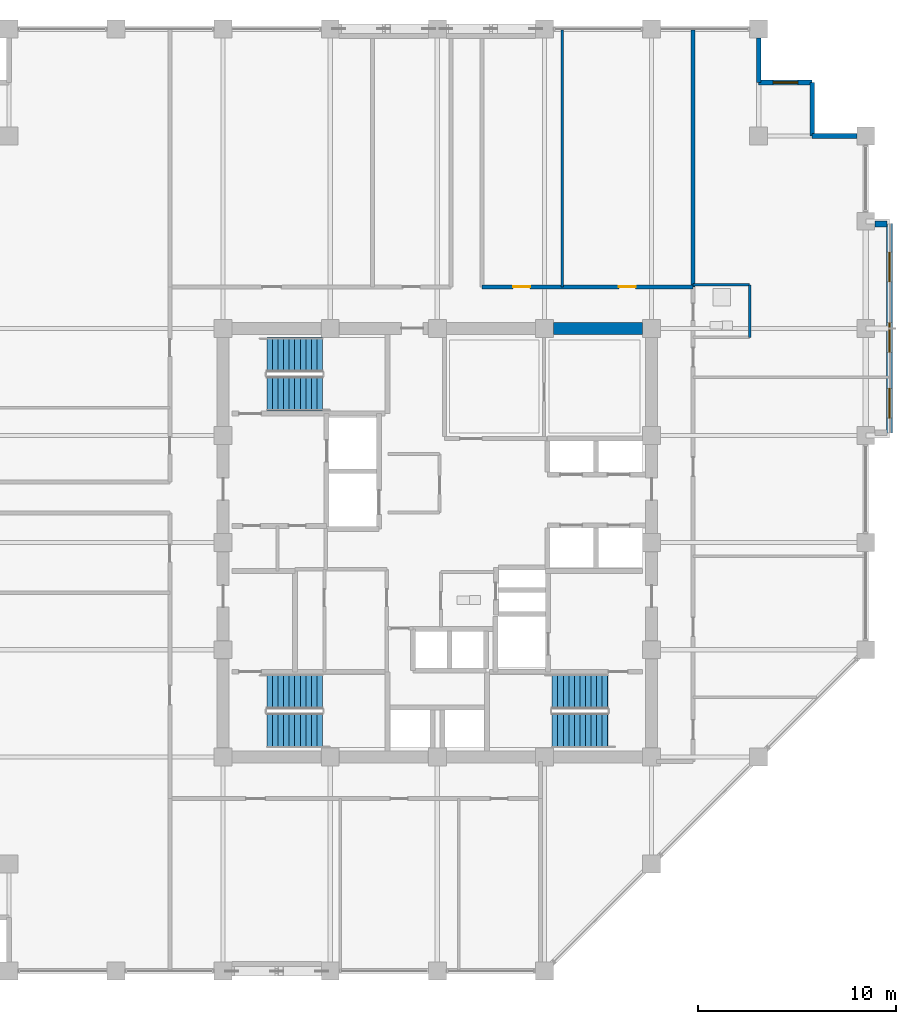
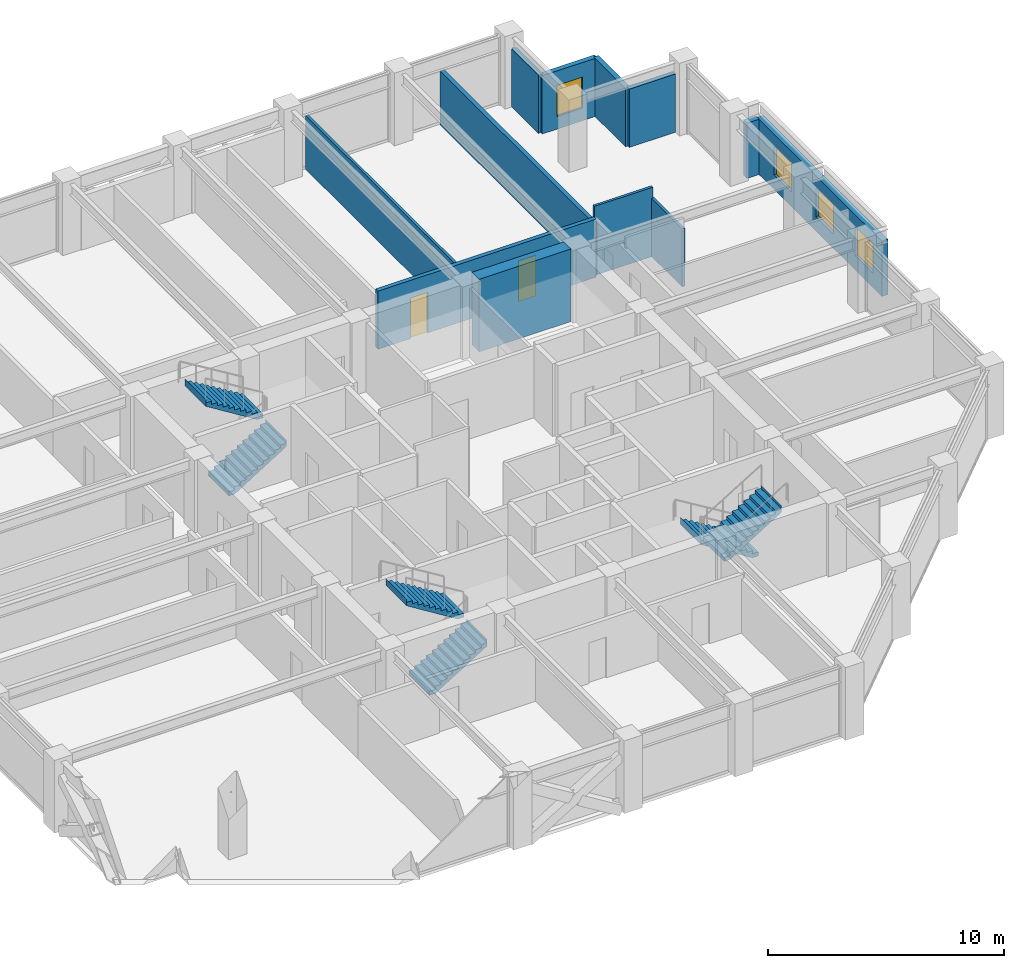
# One storey, part 29 of 32: 12 walls, 6 stair flights, 4 windows, 2 doors, 6 openings, 3 elements without a shape of their own.
"""IFC4 building model written with IfcOpenShell, lengths in metres."""

import ifcopenshell
import ifcopenshell.guid

model = None  # the IFC model being written
_history = None  # IfcOwnerHistory: only IFC2X3 demands one
_inside = {}  # id of a spatial element -> (the spatial element, [elements in it])
_under = {}  # id of a project, library or spatial element -> (it, [spatial elements below it])
_declared = {}  # id of a project -> (the project, [libraries it declares])
_typed = {}  # id of a type object -> (the type object, [elements of that type])
_made_of = {}  # id of a material, layer set ... -> (it, [elements and type objects made of it])


def new_model(schema):
    """Start an empty IFC model of exactly this schema.

    Asked for "IFC4X3", IfcOpenShell would pick the latest addendum, in which some entities
    have other attributes; the version numbers below select the first issue.
    IFC2X3 requires an IfcOwnerHistory on every rooted entity: one is made here for all.
    """
    global model, _history
    if schema == "IFC4X3":
        model = ifcopenshell.file(schema_version=(4, 3, 0, 0))
    else:
        model = ifcopenshell.file(schema=schema)
    _inside.clear()
    _under.clear()
    _declared.clear()
    _typed.clear()
    _made_of.clear()
    _history = None
    if model.schema == "IFC2X3":
        org = make("IfcOrganization", Name="unknown")
        user = make(
            "IfcPersonAndOrganization",
            ThePerson=make("IfcPerson", FamilyName="unknown"),
            TheOrganization=org,
        )
        app = make(
            "IfcApplication",
            ApplicationDeveloper=org,
            Version="unknown",
            ApplicationFullName="unknown",
            ApplicationIdentifier="unknown",
        )
        _history = make(
            "IfcOwnerHistory",
            OwningUser=user,
            OwningApplication=app,
            ChangeAction="ADDED",
            CreationDate=0,
        )
    return model


def make(cls, **values):
    """One entity of the class cls with the attributes given. An attribute that is None is left unset."""
    return model.create_entity(
        cls, **{name: value for name, value in values.items() if value is not None}
    )


def rooted(cls, **values):
    """An entity with a GlobalId (a new one), such as an element, a storey or a relation."""
    return make(cls, GlobalId=ifcopenshell.guid.new(), OwnerHistory=_history, **values)


def si_unit(unit_type, name, prefix=None):
    """IfcSIUnit, for example si_unit("LENGTHUNIT", "METRE", prefix="MILLI")."""
    return make("IfcSIUnit", UnitType=unit_type, Prefix=prefix, Name=name)


def assignment(units):
    """IfcUnitAssignment: the units of a project."""
    return None if units is None else make("IfcUnitAssignment", Units=units)


def point(xyz):
    """IfcCartesianPoint."""
    return None if xyz is None else make("IfcCartesianPoint", Coordinates=xyz)


def direction(xyz):
    """IfcDirection."""
    return None if xyz is None else make("IfcDirection", DirectionRatios=xyz)


def frame(location, z_axis=None, x_axis=None):
    """IfcAxis2Placement3D, a coordinate frame: its origin and axes. An axis left out is left unset."""
    return make(
        "IfcAxis2Placement3D",
        Location=point(location),
        Axis=direction(z_axis),
        RefDirection=direction(x_axis),
    )


def frame_2d(location, x_axis=None):
    """IfcAxis2Placement2D, a coordinate frame in the plane: its origin and x axis."""
    return make(
        "IfcAxis2Placement2D", Location=point(location), RefDirection=direction(x_axis)
    )


def origin():
    """The frame at (0, 0, 0) with its axes left unset."""
    return frame((0.0, 0.0, 0.0))


def place(relative_to, where):
    """IfcLocalPlacement: puts the frame where relative to a parent placement (None: the world)."""
    return make(
        "IfcLocalPlacement", PlacementRelTo=relative_to, RelativePlacement=where
    )


def context(
    kind, dimensions, precision=None, world=None, true_north=None, identifier=None
):
    """IfcGeometricRepresentationContext, for example the 3D "Model" context."""
    return make(
        "IfcGeometricRepresentationContext",
        ContextIdentifier=identifier,
        ContextType=kind,
        CoordinateSpaceDimension=dimensions,
        Precision=precision,
        WorldCoordinateSystem=world,
        TrueNorth=true_north,
    )


def subcontext(parent, identifier, kind, view, scale=None):
    """IfcGeometricRepresentationSubContext, for example "Body" below "Model"."""
    return make(
        "IfcGeometricRepresentationSubContext",
        ContextIdentifier=identifier,
        ContextType=kind,
        ParentContext=parent,
        TargetScale=scale,
        TargetView=view,
    )


def project(units=None, contexts=None):
    """IfcProject with its units and contexts."""
    return rooted(
        "IfcProject",
        Name="project",
        RepresentationContexts=contexts,
        UnitsInContext=assignment(units),
    )


def spatial(cls, under=None, at=None, **own):
    """A site, building, storey or space (cls), placed at a placement, below another one or the project."""
    s = rooted(cls, ObjectPlacement=at, **own)
    if under is not None:
        _under.setdefault(under.id(), (under, []))[1].append(s)
    return s


def polyline(points):
    """IfcPolyline through the points."""
    return make("IfcPolyline", Points=[point(p) for p in points])


def profile(cls, at=None, kind="AREA", **sizes):
    """A parametric profile (cls). Its sizes go by their IFC names, for example OverallWidth=200.0."""
    return make(cls, ProfileType=kind, Position=at, **sizes)


def rectangle(**sizes):
    """IfcRectangleProfileDef."""
    return profile("IfcRectangleProfileDef", **sizes)


def outline(outer, holes=None, kind="AREA"):
    """IfcArbitraryClosedProfileDef: a profile drawn as a closed curve; with holes, ...WithVoids."""
    if holes is None:
        return make("IfcArbitraryClosedProfileDef", ProfileType=kind, OuterCurve=outer)
    return make(
        "IfcArbitraryProfileDefWithVoids",
        ProfileType=kind,
        OuterCurve=outer,
        InnerCurves=holes,
    )


def extrude(swept, where, along, depth):
    """IfcExtrudedAreaSolid: the profile swept, set in the frame where, extruded along a direction by depth."""
    return make(
        "IfcExtrudedAreaSolid",
        SweptArea=swept,
        Position=where,
        ExtrudedDirection=direction(along),
        Depth=depth,
    )


def shape(context_of_items, identifier, shape_type, items):
    """IfcShapeRepresentation: the items that make up one representation, for example the "Body"."""
    return make(
        "IfcShapeRepresentation",
        ContextOfItems=context_of_items,
        RepresentationIdentifier=identifier,
        RepresentationType=shape_type,
        Items=items,
    )


def material(Name=None, Category=None):
    """IfcMaterial."""
    return make("IfcMaterial", Name=Name, Category=Category)


def layer(
    of_material, thickness, ventilated=None, Name=None, Category=None, Priority=None
):
    """IfcMaterialLayer: one layer of a wall or slab, of a material (None: an air gap)."""
    return make(
        "IfcMaterialLayer",
        Material=of_material,
        LayerThickness=thickness,
        IsVentilated=ventilated,
        Name=Name,
        Category=Category,
        Priority=Priority,
    )


def layer_set(layers, Name=None):
    """IfcMaterialLayerSet."""
    return make("IfcMaterialLayerSet", MaterialLayers=layers, LayerSetName=Name)


def made_of(thing, what):
    """Note that an element or type object is made of a material, layer set ...; save() writes the relation."""
    if what is not None:
        _made_of.setdefault(what.id(), (what, []))[1].append(thing)
    return thing


def type_object(cls, material=None, **own):
    """A type object (cls), such as IfcWallType, which elements share."""
    return made_of(rooted(cls, **own), material)


def element(
    cls,
    number,
    at=None,
    inside=None,
    cuts=None,
    type_object=None,
    material=None,
    context=None,
    identifier="Body",
    shape_type=None,
    held_by="IfcProductDefinitionShape",
    body=None,
    shapes=None,
    **own,
):
    """One element of the class cls, such as IfcWall. Its Tag is "e" and its number.

    at: its placement. inside: the storey or other place that contains it. cuts: it is an
    opening in that element (IfcRelVoidsElement). A single representation is given by context,
    identifier, shape_type and body (its items); several are given by shapes. held_by: the class
    of the entity that holds the representations. save() writes the other relations.
    """
    e = rooted(cls, Tag="e%d" % number, ObjectPlacement=at, **own)
    if body is not None:
        shapes = [shape(context, identifier, shape_type, body)]
    if shapes is not None:
        e.Representation = make(held_by, Representations=shapes)
    if inside is not None:
        _inside.setdefault(inside.id(), (inside, []))[1].append(e)
    if cuts is not None:
        rooted(
            "IfcRelVoidsElement", RelatingBuildingElement=cuts, RelatedOpeningElement=e
        )
    if type_object is not None:
        _typed.setdefault(type_object.id(), (type_object, []))[1].append(e)
    return made_of(e, material)


def fill(opening, filler):
    """IfcRelFillsElement: the door or window that sits in an opening."""
    return rooted(
        "IfcRelFillsElement",
        RelatingOpeningElement=opening,
        RelatedBuildingElement=filler,
    )


def aggregate(whole, parts):
    """IfcRelAggregates: a whole, such as a stair, and the parts it consists of."""
    return rooted("IfcRelAggregates", RelatingObject=whole, RelatedObjects=parts)


def save(model, path):
    """Write the relations noted so far, then the file.

    IfcRelAggregates (storeys below a building ...), IfcRelContainedInSpatialStructure (elements
    in a storey), IfcRelDefinesByType, IfcRelAssociatesMaterial and IfcRelDeclares: one each for
    every whole, place, type object, material and project.
    """
    for whole, parts in _under.values():
        aggregate(whole, parts)
    for where, things in _inside.values():
        rooted(
            "IfcRelContainedInSpatialStructure",
            RelatedElements=things,
            RelatingStructure=where,
        )
    for kind, things in _typed.values():
        rooted("IfcRelDefinesByType", RelatedObjects=things, RelatingType=kind)
    for what, things in _made_of.values():
        rooted("IfcRelAssociatesMaterial", RelatedObjects=things, RelatingMaterial=what)
    for by, libraries in _declared.values():
        rooted("IfcRelDeclares", RelatingContext=by, RelatedDefinitions=libraries)
    model.write(path)


model = new_model("IFC4")

# Units and contexts
model_context = context("Model", 3, precision=1e-05, world=origin(), true_north=direction((0.0, 1.0)))
body_context = subcontext(model_context, "Body", "Model", "MODEL_VIEW")
ifc_project = project(units=[si_unit("LENGTHUNIT", "METRE"), si_unit("AREAUNIT", "SQUARE_METRE"), si_unit("VOLUMEUNIT", "CUBIC_METRE"), si_unit("PLANEANGLEUNIT", "RADIAN"), si_unit("MASSUNIT", "GRAM", prefix="KILO")], contexts=[model_context])

# Site, building, storey
site_placement = place(None, origin())
site = spatial("IfcSite", under=ifc_project, at=site_placement, CompositionType="ELEMENT")
building_placement = place(site_placement, origin())
building = spatial("IfcBuilding", under=site, at=building_placement, Name="Surkhivell Harbour Commons", CompositionType="ELEMENT")
storey_placement = place(building_placement, frame((0.0, 0.0, 189.75)))
storey = spatial("IfcBuildingStorey", under=building, at=storey_placement, Name="L49", CompositionType="ELEMENT", Elevation=189.75)

# Wall
ifc_material_1 = material(Name="Concrete C60/75", Category="concrete")
ifc_layer_1 = layer(ifc_material_1, 0.60009765625)
ifc_layer_set_1 = layer_set([ifc_layer_1], Name="Concrete C60/75")
wall_type_1 = type_object("IfcWallType", Name="WAL-CORE-600", PredefinedType="SHEAR", material=ifc_layer_set_1)
wall_1_placement = place(storey_placement, frame((5.860107421875, 10.800048828125, 0.0), z_axis=(0.0, 0.0, 1.0), x_axis=(1.0, 0.0, 0.0)))
element("IfcWall", 1, at=wall_1_placement, inside=storey, type_object=wall_type_1, Name="L49 Core Shear Wall North 4", PredefinedType="SHEAR", context=body_context, shape_type="SweptSolid", body=[
    extrude(rectangle(XDim=4.47998046875, YDim=0.60009765625, at=frame_2d((2.239990234375, 0.0))), origin(), (0.0, 0.0, 1.0), 3.75),
])

# Wall, openings, windows
ifc_material_2 = material(Name="Flemish-bond kiln brick and precast concrete C45/55", Category="masonry")
ifc_layer_2 = layer(ifc_material_2, 0.300048828125)
ifc_layer_set_2 = layer_set([ifc_layer_2], Name="Flemish-bond kiln brick and precast concrete C45/55")
wall_type_2 = type_object("IfcWallType", Name="WAL-EXT-BRK300", PredefinedType="STANDARD", material=ifc_layer_set_2)
wall_2_placement = place(storey_placement, frame((22.800048828125, 5.52001953125, 0.0), z_axis=(0.0, 0.0, 1.0), x_axis=(0.0, 1.0, 0.0)))
wall_2 = element("IfcWall", 2, at=wall_2_placement, inside=storey, type_object=wall_type_2, Name="L49 Coloured Box Front Wall 01", PredefinedType="STANDARD", context=body_context, shape_type="SweptSolid", body=[
    extrude(rectangle(XDim=10.56005859375, YDim=0.300048828125, at=frame_2d((5.280029296875, 0.0))), origin(), (0.0, 0.0, 1.0), 2.85693359375),
])
opening_1_placement = place(wall_2_placement, frame((0.7548828125, 0.0, 0.75)))
opening_1 = element("IfcOpeningElement", 3, at=opening_1_placement, cuts=wall_2, Name="Opening WN-13", PredefinedType="OPENING", context=body_context, shape_type="SweptSolid", body=[
    extrude(rectangle(XDim=1.5, YDim=1.5, at=frame_2d((0.75, 0.75))), frame((0.0, 0.159912109375, 0.0), z_axis=(0.0, -1.0, 0.0), x_axis=(1.0, 0.0, 0.0)), (0.0, 0.0, 1.0), 0.320068359375),
])
opening_2_placement = place(wall_2_placement, frame((4.077392578125, 0.0, 0.75)))
opening_2 = element("IfcOpeningElement", 4, at=opening_2_placement, cuts=wall_2, Name="Opening WN-13", PredefinedType="OPENING", context=body_context, shape_type="SweptSolid", body=[
    extrude(rectangle(XDim=1.5, YDim=1.5, at=frame_2d((0.75, 0.75))), frame((0.0, 0.159912109375, 0.0), z_axis=(0.0, -1.0, 0.0), x_axis=(1.0, 0.0, 0.0)), (0.0, 0.0, 1.0), 0.320068359375),
])
opening_3_placement = place(wall_2_placement, frame((7.632568359375, 0.0, 0.75)))
opening_3 = element("IfcOpeningElement", 5, at=opening_3_placement, cuts=wall_2, Name="Opening WN-13", PredefinedType="OPENING", context=body_context, shape_type="SweptSolid", body=[
    extrude(rectangle(XDim=1.5, YDim=1.5, at=frame_2d((0.75, 0.75))), frame((0.0, 0.159912109375, 0.0), z_axis=(0.0, -1.0, 0.0), x_axis=(1.0, 0.0, 0.0)), (0.0, 0.0, 1.0), 0.320068359375),
])
ifc_material_3 = material(Name="Thermal-break aluminium frame and double low-E glazing", Category="aluminium")
window_type_1 = type_object("IfcWindowType", Name="WIN-BOX-1500x1500", PartitioningType="SINGLE_PANEL", PredefinedType="WINDOW", material=ifc_material_3)
window_1_placement = place(opening_1_placement, origin())
window_1 = element("IfcWindow", 6, at=window_1_placement, inside=storey, type_object=window_type_1, Name="L49 Coloured Box Square Window 01-1", OverallHeight=1.5, OverallWidth=1.5, PartitioningType="SINGLE_PANEL", PredefinedType="WINDOW", context=body_context, shape_type="SweptSolid", body=[
    extrude(rectangle(XDim=1.5, YDim=1.5, at=frame_2d((0.75, 0.75))), frame((0.0, 0.030029296875, 0.0), z_axis=(0.0, -1.0, 0.0), x_axis=(1.0, 0.0, 0.0)), (0.0, 0.0, 1.0), 0.06005859375),
])
fill(opening_1, window_1)
window_2_placement = place(opening_2_placement, origin())
window_2 = element("IfcWindow", 7, at=window_2_placement, inside=storey, type_object=window_type_1, Name="L49 Coloured Box Square Window 01-2", OverallHeight=1.5, OverallWidth=1.5, PartitioningType="SINGLE_PANEL", PredefinedType="WINDOW", context=body_context, shape_type="SweptSolid", body=[
    extrude(rectangle(XDim=1.5, YDim=1.5, at=frame_2d((0.75, 0.75))), frame((0.0, 0.030029296875, 0.0), z_axis=(0.0, -1.0, 0.0), x_axis=(1.0, 0.0, 0.0)), (0.0, 0.0, 1.0), 0.06005859375),
])
fill(opening_2, window_2)
window_3_placement = place(opening_3_placement, origin())
window_3 = element("IfcWindow", 8, at=window_3_placement, inside=storey, type_object=window_type_1, Name="L49 Coloured Box Square Window 01-3", OverallHeight=1.5, OverallWidth=1.5, PartitioningType="SINGLE_PANEL", PredefinedType="WINDOW", context=body_context, shape_type="SweptSolid", body=[
    extrude(rectangle(XDim=1.5, YDim=1.5, at=frame_2d((0.75, 0.75))), frame((0.0, 0.030029296875, 0.0), z_axis=(0.0, -1.0, 0.0), x_axis=(1.0, 0.0, 0.0)), (0.0, 0.0, 1.0), 0.06005859375),
])
fill(opening_3, window_3)

# Walls
wall_3_placement = place(storey_placement, frame((22.053955078125, 16.06005859375, 0.0), z_axis=(0.0, 0.0, 1.0), x_axis=(1.0, 0.0, 0.0)))
element("IfcWall", 9, at=wall_3_placement, inside=storey, type_object=wall_type_2, Name="L49 Coloured Box Return Wall 01N", PredefinedType="STANDARD", context=body_context, shape_type="SweptSolid", body=[
    extrude(rectangle(XDim=0.60595703125, YDim=0.300048828125, at=frame_2d((0.302978515625, 0.0))), origin(), (0.0, 0.0, 1.0), 2.85693359375),
])
ifc_material_4 = material(Name="Bronze-ochre cassette precast concrete C45/55", Category="concrete")
ifc_layer_3 = layer(ifc_material_4, 0.239990234375)
ifc_layer_set_3 = layer_set([ifc_layer_3], Name="Bronze-ochre cassette precast concrete C45/55")
wall_type_3 = type_object("IfcWallType", Name="WAL-EXT-OCH240", PredefinedType="STANDARD", material=ifc_layer_set_3)
wall_4_placement = place(storey_placement, frame((21.152099609375, 20.5, 0.0), z_axis=(0.0, 0.0, 1.0), x_axis=(-1.0, 0.0, 0.0)))
element("IfcWall", 10, at=wall_4_placement, inside=storey, type_object=wall_type_3, Name="L49 Serrated Corner Facade Wall 03", PredefinedType="STANDARD", context=body_context, shape_type="SweptSolid", body=[
    extrude(rectangle(XDim=2.252197265625, YDim=0.239990234375, at=frame_2d((1.1259765625, 0.0))), origin(), (0.0, 0.0, 1.0), 3.006103515625),
])
wall_5_placement = place(storey_placement, frame((18.89990234375, 20.5, 0.0), z_axis=(0.0, 0.0, 1.0), x_axis=(0.0, 1.0, 0.0)))
element("IfcWall", 11, at=wall_5_placement, inside=storey, type_object=wall_type_3, Name="L49 Serrated Corner Facade Wall 04", PredefinedType="STANDARD", context=body_context, shape_type="SweptSolid", body=[
    extrude(rectangle(XDim=2.699951171875, YDim=0.239990234375, at=frame_2d((1.35009765625, 0.0))), origin(), (0.0, 0.0, 1.0), 3.006103515625),
])

# Wall, opening, window
wall_6_placement = place(storey_placement, frame((18.89990234375, 23.199951171875, 0.0), z_axis=(0.0, 0.0, 1.0), x_axis=(-1.0, 0.0, 0.0)))
wall_6 = element("IfcWall", 12, at=wall_6_placement, inside=storey, type_object=wall_type_3, Name="L49 Serrated Corner Facade Wall 05", PredefinedType="STANDARD", context=body_context, shape_type="SweptSolid", body=[
    extrude(rectangle(XDim=2.699951171875, YDim=0.239990234375, at=frame_2d((1.35009765625, 0.0))), origin(), (0.0, 0.0, 1.0), 3.006103515625),
])
opening_4_placement = place(wall_6_placement, frame((0.72509765625, 0.0, 0.64990234375)))
opening_4 = element("IfcOpeningElement", 13, at=opening_4_placement, cuts=wall_6, Name="Opening WN-09", PredefinedType="OPENING", context=body_context, shape_type="SweptSolid", body=[
    extrude(rectangle(XDim=1.25, YDim=1.60009765625, at=frame_2d((0.625, 0.800048828125))), frame((0.0, 0.1298828125, 0.0), z_axis=(0.0, -1.0, 0.0), x_axis=(1.0, 0.0, 0.0)), (0.0, 0.0, 1.0), 0.260009765625),
])
window_type_2 = type_object("IfcWindowType", Name="WIN-SER-1250x1600", PartitioningType="SINGLE_PANEL", PredefinedType="WINDOW", material=ifc_material_3)
window_4_placement = place(opening_4_placement, origin())
window_4 = element("IfcWindow", 14, at=window_4_placement, inside=storey, type_object=window_type_2, Name="L49 Serrated Alcove Window 05", OverallHeight=1.60009765625, OverallWidth=1.25, PartitioningType="SINGLE_PANEL", PredefinedType="WINDOW", context=body_context, shape_type="SweptSolid", body=[
    extrude(rectangle(XDim=1.25, YDim=1.60009765625, at=frame_2d((0.625, 0.800048828125))), frame((0.0, 0.030029296875, 0.0), z_axis=(0.0, -1.0, 0.0), x_axis=(1.0, 0.0, 0.0)), (0.0, 0.0, 1.0), 0.06005859375),
])
fill(opening_4, window_4)

# Walls
wall_7_placement = place(storey_placement, frame((16.199951171875, 23.199951171875, 0.0), z_axis=(0.0, 0.0, 1.0), x_axis=(0.0, 1.0, 0.0)))
element("IfcWall", 15, at=wall_7_placement, inside=storey, type_object=wall_type_3, Name="L49 Serrated Corner Facade Wall 06", PredefinedType="STANDARD", context=body_context, shape_type="SweptSolid", body=[
    extrude(rectangle(XDim=2.251953125, YDim=0.239990234375, at=frame_2d((1.1259765625, 0.0))), origin(), (0.0, 0.0, 1.0), 3.006103515625),
])
ifc_material_5 = material(Name="Moisture-resistant acoustic stud partition", Category="other")
ifc_layer_4 = layer(ifc_material_5, 0.125)
ifc_layer_set_4 = layer_set([ifc_layer_4], Name="Moisture-resistant acoustic stud partition")
wall_type_4 = type_object("IfcWallType", Name="WAL-INT-125", PredefinedType="PARTITIONING", material=ifc_layer_set_4)
wall_8_placement = place(storey_placement, frame((15.75, 10.35009765625, 0.0), z_axis=(0.0, 0.0, 1.0), x_axis=(0.0, 1.0, 0.0)))
element("IfcWall", 16, at=wall_8_placement, inside=storey, type_object=wall_type_4, Name="L49 East Partition BTHB", PredefinedType="PARTITIONING", context=body_context, shape_type="SweptSolid", body=[
    extrude(rectangle(XDim=2.64990234375, YDim=0.125, at=frame_2d((1.324951171875, 0.0))), origin(), (0.0, 0.0, 1.0), 3.006103515625),
])
wall_9_placement = place(storey_placement, frame((12.89990234375, 13.0, 0.0), z_axis=(0.0, 0.0, 1.0), x_axis=(1.0, 0.0, 0.0)))
element("IfcWall", 17, at=wall_9_placement, inside=storey, type_object=wall_type_4, Name="L49 East Partition BTHN", PredefinedType="PARTITIONING", context=body_context, shape_type="SweptSolid", body=[
    extrude(rectangle(XDim=2.85009765625, YDim=0.125, at=frame_2d((1.425048828125, 0.0))), origin(), (0.0, 0.0, 1.0), 3.570068359375),
])
wall_10_placement = place(storey_placement, frame((6.300048828125, 12.89990234375, 0.0), z_axis=(0.0, 0.0, 1.0), x_axis=(0.0, 1.0, 0.0)))
element("IfcWall", 18, at=wall_10_placement, inside=storey, type_object=wall_type_4, Name="L49 North-East Partition P1", PredefinedType="PARTITIONING", context=body_context, shape_type="SweptSolid", body=[
    extrude(rectangle(XDim=12.940185546875, YDim=0.125, at=frame_2d((6.47021484375, 0.0))), origin(), (0.0, 0.0, 1.0), 2.780029296875),
])
ifc_material_6 = material(Name="Autoclaved aerated concrete blockwork and fire plaster", Category="masonry")
ifc_layer_5 = layer(ifc_material_6, 0.199951171875)
ifc_layer_set_5 = layer_set([ifc_layer_5], Name="Autoclaved aerated concrete blockwork and fire plaster")
wall_type_5 = type_object("IfcWallType", Name="WAL-INT-200", PredefinedType="PARTITIONING", material=ifc_layer_set_5)
wall_11_placement = place(storey_placement, frame((12.89990234375, 12.89990234375, 0.0), z_axis=(0.0, 0.0, 1.0), x_axis=(0.0, 1.0, 0.0)))
element("IfcWall", 19, at=wall_11_placement, inside=storey, type_object=wall_type_5, Name="L49 North-East Corner Wall", PredefinedType="PARTITIONING", context=body_context, shape_type="SweptSolid", body=[
    extrude(rectangle(XDim=12.940185546875, YDim=0.199951171875, at=frame_2d((6.47021484375, 0.0))), origin(), (0.0, 0.0, 1.0), 2.780029296875),
])

# Wall, openings, doors
wall_12_placement = place(storey_placement, frame((2.25, 12.89990234375, 0.0), z_axis=(0.0, 0.0, 1.0), x_axis=(1.0, 0.0, 0.0)))
wall_12 = element("IfcWall", 20, at=wall_12_placement, inside=storey, type_object=wall_type_5, Name="L49 Corridor North-East Wall", PredefinedType="PARTITIONING", context=body_context, shape_type="SweptSolid", body=[
    extrude(rectangle(XDim=10.64990234375, YDim=0.199951171875, at=frame_2d((5.324951171875, 0.0))), origin(), (0.0, 0.0, 1.0), 3.006103515625),
])
opening_5_placement = place(wall_12_placement, frame((1.574951171875, 0.0, 0.0)))
opening_5 = element("IfcOpeningElement", 21, at=opening_5_placement, cuts=wall_12, Name="Opening ID-6", PredefinedType="OPENING", context=body_context, shape_type="SweptSolid", body=[
    extrude(rectangle(XDim=0.85009765625, YDim=2.10009765625, at=frame_2d((0.425048828125, 1.050048828125))), frame((0.0, 0.10986328125, 0.0), z_axis=(0.0, -1.0, 0.0), x_axis=(1.0, 0.0, 0.0)), (0.0, 0.0, 1.0), 0.219970703125),
])
opening_6_placement = place(wall_12_placement, frame((6.89990234375, 0.0, 0.0)))
opening_6 = element("IfcOpeningElement", 22, at=opening_6_placement, cuts=wall_12, Name="Opening ID-6", PredefinedType="OPENING", context=body_context, shape_type="SweptSolid", body=[
    extrude(rectangle(XDim=0.85009765625, YDim=2.10009765625, at=frame_2d((0.425048828125, 1.050048828125))), frame((0.0, 0.10986328125, 0.0), z_axis=(0.0, -1.0, 0.0), x_axis=(1.0, 0.0, 0.0)), (0.0, 0.0, 1.0), 0.219970703125),
])
ifc_material_7 = material(Name="Hardwood-veneered fire-rated door leaf", Category="wood")
door_type = type_object("IfcDoorType", Name="DOR-FD30-850", OperationType="NOTDEFINED", PredefinedType="DOOR", material=ifc_material_7)
door_1_placement = place(opening_5_placement, origin())
door_1 = element("IfcDoor", 23, at=door_1_placement, inside=storey, type_object=door_type, Name="L49 Harbour Reading Library North-East Door", OperationType="SINGLE_SWING_LEFT", OverallHeight=2.10009765625, OverallWidth=0.85009765625, PredefinedType="DOOR", context=body_context, shape_type="SweptSolid", body=[
    extrude(rectangle(XDim=0.85009765625, YDim=2.10009765625, at=frame_2d((0.425048828125, 1.050048828125))), frame((0.0, 0.02490234375, 0.0), z_axis=(0.0, -1.0, 0.0), x_axis=(1.0, 0.0, 0.0)), (0.0, 0.0, 1.0), 0.050048828125),
])
fill(opening_5, door_1)
door_2_placement = place(opening_6_placement, origin())
door_2 = element("IfcDoor", 24, at=door_2_placement, inside=storey, type_object=door_type, Name="L49 Communal Dining Hall North-East Door", OperationType="SINGLE_SWING_RIGHT", OverallHeight=2.10009765625, OverallWidth=0.85009765625, PredefinedType="DOOR", context=body_context, shape_type="SweptSolid", body=[
    extrude(rectangle(XDim=0.85009765625, YDim=2.10009765625, at=frame_2d((0.425048828125, 1.050048828125))), frame((0.0, 0.02490234375, 0.0), z_axis=(0.0, -1.0, 0.0), x_axis=(1.0, 0.0, 0.0)), (0.0, 0.0, 1.0), 0.050048828125),
])
fill(opening_6, door_2)

# Stair, stair flights
ifc_material_8 = material(Name="Precast concrete C45/55", Category="concrete")
stair_type = type_object("IfcStairType", Name="STR-DL-375", PredefinedType="HALF_TURN_STAIR", material=ifc_material_8)
stair_1_placement = place(storey_placement, origin())
stair_1 = element("IfcStair", 25, at=stair_1_placement, inside=storey, type_object=stair_type, Name="L49 Core Exit Stair ST1", PredefinedType="HALF_TURN_STAIR")
stair_flight_type = type_object("IfcStairFlightType", Name="STF-DL-375", PredefinedType="STRAIGHT", material=ifc_material_8)
stair_flight_1_placement = place(storey_placement, frame((-8.590087890625, 7.514892578125, 0.0), z_axis=(0.0, 0.0, 1.0), x_axis=(1.0, 0.0, 0.0)))
stair_flight_1 = element("IfcStairFlight", 26, at=stair_flight_1_placement, type_object=stair_flight_type, Name="ST1 flight 1", NumberOfRisers=11, NumberOfTreads=10, PredefinedType="STRAIGHT", RiserHeight=0.170454545, TreadLength=0.28, context=body_context, shape_type="SweptSolid", body=[
    extrude(outline(polyline([(-0.0029296875, -0.034912109375), (-0.0029296875, 0.0), (0.0, 0.0), (0.0, 0.17041015625), (0.280029296875, 0.17041015625), (0.280029296875, 0.3408203125), (0.56005859375, 0.3408203125), (0.56005859375, 0.511474609375), (0.840087890625, 0.511474609375), (0.840087890625, 0.681884765625), (1.1201171875, 0.681884765625), (1.1201171875, 0.852294921875), (1.39990234375, 0.852294921875), (1.39990234375, 1.022705078125), (1.679931640625, 1.022705078125), (1.679931640625, 1.193115234375), (1.9599609375, 1.193115234375), (1.9599609375, 1.363525390625), (2.239990234375, 1.363525390625), (2.239990234375, 1.5341796875), (2.52001953125, 1.5341796875), (2.52001953125, 1.70458984375), (2.800048828125, 1.70458984375), (2.800048828125, 1.875), (2.802978515625, 1.875), (2.802978515625, 1.529052734375), (0.288330078125, -0.034912109375), (-0.0029296875, -0.034912109375)])), frame((0.0, 0.875, 0.0), z_axis=(0.0, -1.0, 0.0), x_axis=(1.0, 0.0, 0.0)), (0.0, 0.0, 1.0), 1.75),
])
stair_flight_2_placement = place(storey_placement, frame((-5.7900390625, 9.465087890625, 1.875), z_axis=(0.0, 0.0, 1.0), x_axis=(-1.0, 0.0, 0.0)))
stair_flight_2 = element("IfcStairFlight", 27, at=stair_flight_2_placement, type_object=stair_flight_type, Name="ST1 flight 2", NumberOfRisers=11, NumberOfTreads=10, PredefinedType="STRAIGHT", RiserHeight=0.170454545, TreadLength=0.28, context=body_context, shape_type="SweptSolid", body=[
    extrude(outline(polyline([(-0.0029296875, -0.034912109375), (-0.0029296875, 0.0), (0.0, 0.0), (0.0, 0.17041015625), (0.280029296875, 0.17041015625), (0.280029296875, 0.3408203125), (0.56005859375, 0.3408203125), (0.56005859375, 0.511474609375), (0.840087890625, 0.511474609375), (0.840087890625, 0.681884765625), (1.1201171875, 0.681884765625), (1.1201171875, 0.852294921875), (1.39990234375, 0.852294921875), (1.39990234375, 1.022705078125), (1.679931640625, 1.022705078125), (1.679931640625, 1.193115234375), (1.9599609375, 1.193115234375), (1.9599609375, 1.363525390625), (2.239990234375, 1.363525390625), (2.239990234375, 1.5341796875), (2.52001953125, 1.5341796875), (2.52001953125, 1.70458984375), (2.800048828125, 1.70458984375), (2.800048828125, 1.875), (2.802978515625, 1.875), (2.802978515625, 1.529052734375), (0.288330078125, -0.034912109375), (-0.0029296875, -0.034912109375)])), frame((0.0, 0.875, 0.0), z_axis=(0.0, -1.0, 0.0), x_axis=(1.0, 0.0, 0.0)), (0.0, 0.0, 1.0), 1.75),
])
aggregate(stair_1, [stair_flight_1, stair_flight_2])

stair_2_placement = place(storey_placement, origin())
stair_2 = element("IfcStair", 28, at=stair_2_placement, inside=storey, type_object=stair_type, Name="L49 Core Exit Stair ST2", PredefinedType="HALF_TURN_STAIR")
stair_flight_3_placement = place(storey_placement, frame((8.590087890625, -7.514892578125, 0.0), z_axis=(0.0, 0.0, 1.0), x_axis=(-1.0, 0.0, 0.0)))
stair_flight_3 = element("IfcStairFlight", 29, at=stair_flight_3_placement, type_object=stair_flight_type, Name="ST2 flight 1", NumberOfRisers=11, NumberOfTreads=10, PredefinedType="STRAIGHT", RiserHeight=0.170454545, TreadLength=0.28, context=body_context, shape_type="SweptSolid", body=[
    extrude(outline(polyline([(-0.0029296875, -0.034912109375), (-0.0029296875, 0.0), (0.0, 0.0), (0.0, 0.17041015625), (0.280029296875, 0.17041015625), (0.280029296875, 0.3408203125), (0.56005859375, 0.3408203125), (0.56005859375, 0.511474609375), (0.840087890625, 0.511474609375), (0.840087890625, 0.681884765625), (1.1201171875, 0.681884765625), (1.1201171875, 0.852294921875), (1.39990234375, 0.852294921875), (1.39990234375, 1.022705078125), (1.679931640625, 1.022705078125), (1.679931640625, 1.193115234375), (1.9599609375, 1.193115234375), (1.9599609375, 1.363525390625), (2.239990234375, 1.363525390625), (2.239990234375, 1.5341796875), (2.52001953125, 1.5341796875), (2.52001953125, 1.70458984375), (2.800048828125, 1.70458984375), (2.800048828125, 1.875), (2.802978515625, 1.875), (2.802978515625, 1.529052734375), (0.288330078125, -0.034912109375), (-0.0029296875, -0.034912109375)])), frame((0.0, 0.875, 0.0), z_axis=(0.0, -1.0, 0.0), x_axis=(1.0, 0.0, 0.0)), (0.0, 0.0, 1.0), 1.75),
])
stair_flight_4_placement = place(storey_placement, frame((5.7900390625, -9.465087890625, 1.875), z_axis=(0.0, 0.0, 1.0), x_axis=(1.0, 0.0, 0.0)))
stair_flight_4 = element("IfcStairFlight", 30, at=stair_flight_4_placement, type_object=stair_flight_type, Name="ST2 flight 2", NumberOfRisers=11, NumberOfTreads=10, PredefinedType="STRAIGHT", RiserHeight=0.170454545, TreadLength=0.28, context=body_context, shape_type="SweptSolid", body=[
    extrude(outline(polyline([(-0.0029296875, -0.034912109375), (-0.0029296875, 0.0), (0.0, 0.0), (0.0, 0.17041015625), (0.280029296875, 0.17041015625), (0.280029296875, 0.3408203125), (0.56005859375, 0.3408203125), (0.56005859375, 0.511474609375), (0.840087890625, 0.511474609375), (0.840087890625, 0.681884765625), (1.1201171875, 0.681884765625), (1.1201171875, 0.852294921875), (1.39990234375, 0.852294921875), (1.39990234375, 1.022705078125), (1.679931640625, 1.022705078125), (1.679931640625, 1.193115234375), (1.9599609375, 1.193115234375), (1.9599609375, 1.363525390625), (2.239990234375, 1.363525390625), (2.239990234375, 1.5341796875), (2.52001953125, 1.5341796875), (2.52001953125, 1.70458984375), (2.800048828125, 1.70458984375), (2.800048828125, 1.875), (2.802978515625, 1.875), (2.802978515625, 1.529052734375), (0.288330078125, -0.034912109375), (-0.0029296875, -0.034912109375)])), frame((0.0, 0.875, 0.0), z_axis=(0.0, -1.0, 0.0), x_axis=(1.0, 0.0, 0.0)), (0.0, 0.0, 1.0), 1.75),
])
aggregate(stair_2, [stair_flight_3, stair_flight_4])

stair_3_placement = place(storey_placement, origin())
stair_3 = element("IfcStair", 31, at=stair_3_placement, inside=storey, type_object=stair_type, Name="L49 Core Exit Stair ST3", PredefinedType="HALF_TURN_STAIR")
stair_flight_5_placement = place(storey_placement, frame((-8.590087890625, -9.465087890625, 0.0), z_axis=(0.0, 0.0, 1.0), x_axis=(1.0, 0.0, 0.0)))
stair_flight_5 = element("IfcStairFlight", 32, at=stair_flight_5_placement, type_object=stair_flight_type, Name="ST3 flight 1", NumberOfRisers=11, NumberOfTreads=10, PredefinedType="STRAIGHT", RiserHeight=0.170454545, TreadLength=0.28, context=body_context, shape_type="SweptSolid", body=[
    extrude(outline(polyline([(-0.0029296875, -0.034912109375), (-0.0029296875, 0.0), (0.0, 0.0), (0.0, 0.17041015625), (0.280029296875, 0.17041015625), (0.280029296875, 0.3408203125), (0.56005859375, 0.3408203125), (0.56005859375, 0.511474609375), (0.840087890625, 0.511474609375), (0.840087890625, 0.681884765625), (1.1201171875, 0.681884765625), (1.1201171875, 0.852294921875), (1.39990234375, 0.852294921875), (1.39990234375, 1.022705078125), (1.679931640625, 1.022705078125), (1.679931640625, 1.193115234375), (1.9599609375, 1.193115234375), (1.9599609375, 1.363525390625), (2.239990234375, 1.363525390625), (2.239990234375, 1.5341796875), (2.52001953125, 1.5341796875), (2.52001953125, 1.70458984375), (2.800048828125, 1.70458984375), (2.800048828125, 1.875), (2.802978515625, 1.875), (2.802978515625, 1.529052734375), (0.288330078125, -0.034912109375), (-0.0029296875, -0.034912109375)])), frame((0.0, 0.875, 0.0), z_axis=(0.0, -1.0, 0.0), x_axis=(1.0, 0.0, 0.0)), (0.0, 0.0, 1.0), 1.75),
])
stair_flight_6_placement = place(storey_placement, frame((-5.7900390625, -7.514892578125, 1.875), z_axis=(0.0, 0.0, 1.0), x_axis=(-1.0, 0.0, 0.0)))
stair_flight_6 = element("IfcStairFlight", 33, at=stair_flight_6_placement, type_object=stair_flight_type, Name="ST3 flight 2", NumberOfRisers=11, NumberOfTreads=10, PredefinedType="STRAIGHT", RiserHeight=0.170454545, TreadLength=0.28, context=body_context, shape_type="SweptSolid", body=[
    extrude(outline(polyline([(-0.0029296875, -0.034912109375), (-0.0029296875, 0.0), (0.0, 0.0), (0.0, 0.17041015625), (0.280029296875, 0.17041015625), (0.280029296875, 0.3408203125), (0.56005859375, 0.3408203125), (0.56005859375, 0.511474609375), (0.840087890625, 0.511474609375), (0.840087890625, 0.681884765625), (1.1201171875, 0.681884765625), (1.1201171875, 0.852294921875), (1.39990234375, 0.852294921875), (1.39990234375, 1.022705078125), (1.679931640625, 1.022705078125), (1.679931640625, 1.193115234375), (1.9599609375, 1.193115234375), (1.9599609375, 1.363525390625), (2.239990234375, 1.363525390625), (2.239990234375, 1.5341796875), (2.52001953125, 1.5341796875), (2.52001953125, 1.70458984375), (2.800048828125, 1.70458984375), (2.800048828125, 1.875), (2.802978515625, 1.875), (2.802978515625, 1.529052734375), (0.288330078125, -0.034912109375), (-0.0029296875, -0.034912109375)])), frame((0.0, 0.875, 0.0), z_axis=(0.0, -1.0, 0.0), x_axis=(1.0, 0.0, 0.0)), (0.0, 0.0, 1.0), 1.75),
])
aggregate(stair_3, [stair_flight_5, stair_flight_6])

save(model, "model.ifc")
